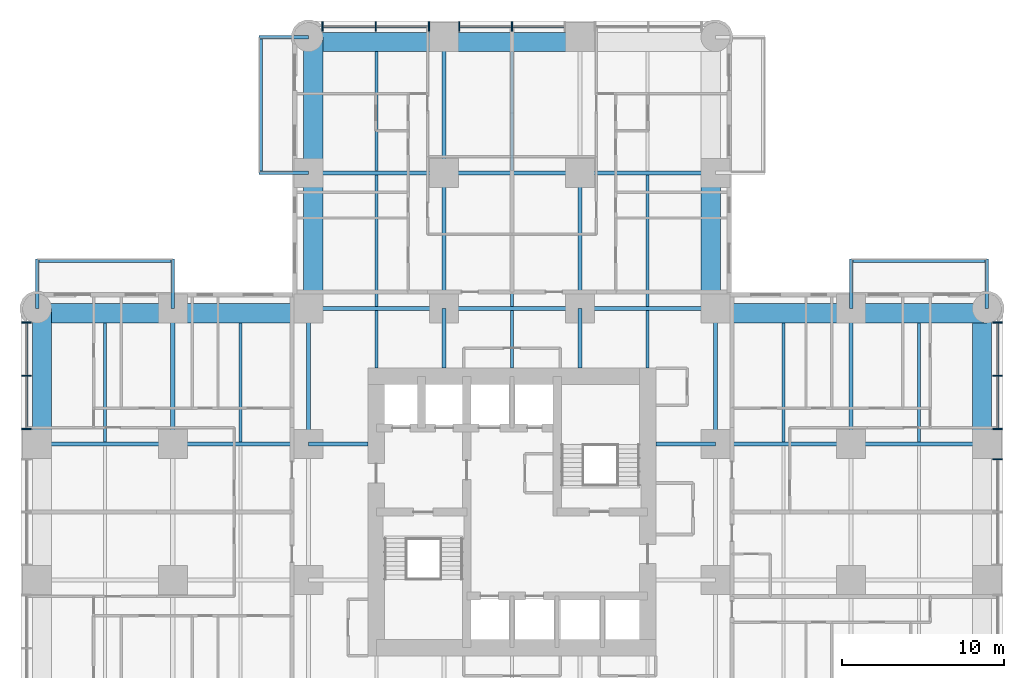
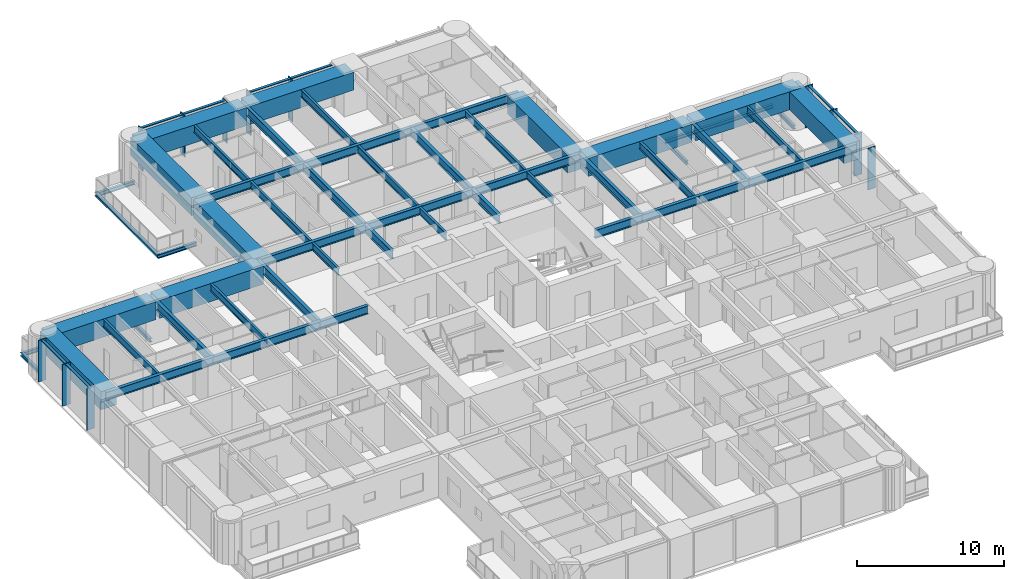
# One storey, part 4 of 17: 53 beams, 20 members, 3 elements without a shape of their own.
"""IFC4 building model written with IfcOpenShell, lengths in metres."""

from ifc_helpers import new_model, si_unit, direction, frame, origin, origin_2d, place, context, subcontext, project, spatial, rectangle, i_section, extrude, material, material_profile, profile_set, type_object, element, aggregate, save


model = new_model("IFC4")

# Units and contexts
model_context = context("Model", 3, precision=1e-05, world=origin(), true_north=direction((0.0, 1.0)))
body_context = subcontext(model_context, "Body", "Model", "MODEL_VIEW")
ifc_project = project(units=[si_unit("LENGTHUNIT", "METRE"), si_unit("AREAUNIT", "SQUARE_METRE"), si_unit("VOLUMEUNIT", "CUBIC_METRE"), si_unit("PLANEANGLEUNIT", "RADIAN"), si_unit("MASSUNIT", "GRAM", prefix="KILO")], contexts=[model_context])

# Site, building, storey
site_placement = place(None, origin())
site = spatial("IfcSite", under=ifc_project, at=site_placement, CompositionType="ELEMENT")
building_placement = place(site_placement, origin())
building = spatial("IfcBuilding", under=site, at=building_placement, Name="Torre Alcanfor", CompositionType="ELEMENT")
storey_placement = place(building_placement, frame((0.0, 0.0, 59.699951171875)))
storey = spatial("IfcBuildingStorey", under=building, at=storey_placement, Name="L14", CompositionType="ELEMENT", Elevation=59.699951171875)

# Beams
ifc_material_1 = material(Name="Steel ASTM A992 Grade 50", Category="steel")
ifc_material_profile_1 = material_profile(ifc_material_1, i_section(OverallWidth=0.205322265625, OverallDepth=0.309814453125, WebThickness=0.00927734375, FlangeThickness=0.016357421875, at=origin_2d()), Name="W12x50")
ifc_profile_set_1 = profile_set([ifc_material_profile_1], Name="Steel ASTM A992 Grade 50")
beam_type_1 = type_object("IfcBeamType", Name="Balcony cantilever beam W12x50", PredefinedType="BEAM", material=ifc_profile_set_1)
for number, where, z_axis, x_axis, name in (
    (1, (16.800048828125, 50.39990234375, -0.35498046875), (-1.0, 0.0, 0.0), (0.0, -1.0, 0.0), "Balcony cantilever beam L14-N1 1"),
    (2, (16.800048828125, 58.800048828125, -0.35498046875), (-1.0, 0.0, 0.0), (0.0, -1.0, 0.0), "Balcony cantilever beam L14-N1 2"),
    (3, (50.39990234375, 42.0, -0.35498046875), (0.0, 1.0, 0.0), (-1.0, 0.0, 0.0), "Balcony cantilever beam L14-E1 1"),
    (4, (58.800048828125, 42.0, -0.35498046875), (0.0, 1.0, 0.0), (-1.0, 0.0, 0.0), "Balcony cantilever beam L14-E1 2"),
    (5, (8.39990234375, 42.0, -0.35498046875), (0.0, 1.0, 0.0), (-1.0, 0.0, 0.0), "Balcony cantilever beam L14-W2 1"),
    (6, (0.0, 42.0, -0.35498046875), (0.0, 1.0, 0.0), (-1.0, 0.0, 0.0), "Balcony cantilever beam L14-W2 2"),
):
    element("IfcBeam", number, at=place(storey_placement, frame(where, z_axis=z_axis, x_axis=x_axis)), inside=storey, type_object=beam_type_1, Name=name, PredefinedType="BEAM", context=body_context, shape_type="SweptSolid", body=[
        extrude(i_section(OverallWidth=0.205322265625, OverallDepth=0.309814453125, WebThickness=0.00927734375, FlangeThickness=0.016357421875, at=origin_2d()), origin(), (0.0, 0.0, 1.0), 3.050048828125),
    ])
ifc_material_2 = material(Name="Steel ASTM A992 Grade 50", Category="steel")
ifc_material_profile_2 = material_profile(ifc_material_2, i_section(OverallWidth=0.203369140625, OverallDepth=0.30224609375, WebThickness=0.007568359375, FlangeThickness=0.01318359375, at=origin_2d()), Name="W12x40")
ifc_profile_set_2 = profile_set([ifc_material_profile_2], Name="Steel ASTM A992 Grade 50")
beam_type_2 = type_object("IfcBeamType", Name="Balcony edge trimmer W12x40", PredefinedType="BEAM", material=ifc_profile_set_2)
for number, where, z_axis, x_axis, name in (
    (7, (13.851806640625, 50.39990234375, -0.35107421875), (0.0, 1.0, 0.0), (-1.0, 0.0, 0.0), "Balcony edge trimmer L14-N1"),
    (8, (50.39990234375, 44.9482421875, -0.35107421875), (1.0, 0.0, 0.0), (0.0, 1.0, 0.0), "Balcony edge trimmer L14-E1"),
):
    element("IfcBeam", number, at=place(storey_placement, frame(where, z_axis=z_axis, x_axis=x_axis)), inside=storey, type_object=beam_type_2, Name=name, PredefinedType="BEAM", context=body_context, shape_type="SweptSolid", body=[
        extrude(i_section(OverallWidth=0.203369140625, OverallDepth=0.30224609375, WebThickness=0.007568359375, FlangeThickness=0.01318359375, at=origin_2d()), origin(), (0.0, 0.0, 1.0), 8.400146484375),
    ])
beam_1_placement = place(storey_placement, frame((8.39990234375, 44.9482421875, -0.35107421875), z_axis=(-1.0, 0.0, 0.0), x_axis=(0.0, -1.0, 0.0)))
element("IfcBeam", 9, at=beam_1_placement, inside=storey, type_object=beam_type_2, Name="Balcony edge trimmer L14-W2", PredefinedType="BEAM", context=body_context, shape_type="SweptSolid", body=[
    extrude(i_section(OverallWidth=0.203369140625, OverallDepth=0.30224609375, WebThickness=0.007568359375, FlangeThickness=0.01318359375, at=origin_2d()), origin(), (0.0, 0.0, 1.0), 8.39990234375),
])

# Curtain wall, members
ifc_material_3 = material(Name="Aluminium and glass", Category="aluminium")
curtain_wall_type = type_object("IfcCurtainWallType", Name="CW-A unitised apartment glazing with vertical FIN", PredefinedType="NOTDEFINED", material=ifc_material_3)
curtain_wall_1_placement = place(storey_placement, origin())
curtain_wall_1 = element("IfcCurtainWall", 10, at=curtain_wall_1_placement, inside=storey, type_object=curtain_wall_type, Name="Curtain wall CW-A L14 2", PredefinedType="NOTDEFINED")
ifc_material_4 = material(Name="Bronze anodised aluminium", Category="aluminium")
ifc_material_profile_3 = material_profile(ifc_material_4, rectangle(XDim=0.60009765625, YDim=0.06494140625, at=origin_2d()), Name="CW-A mullion 65x600")
ifc_profile_set_3 = profile_set([ifc_material_profile_3], Name="Bronze anodised aluminium")
member_type_1 = type_object("IfcMemberType", Name="CW-A mullion with vertical FIN 65x600", PredefinedType="MULLION", material=ifc_profile_set_3)
member_1_placement = place(storey_placement, frame((-0.64990234375, 41.133056640625, 0.0), z_axis=(0.0, 0.0, 1.0), x_axis=(1.0, 0.0, 0.0)))
member_1 = element("IfcMember", 11, at=member_1_placement, type_object=member_type_1, Name="CW-A mullion 1.1", PredefinedType="MULLION", context=body_context, shape_type="SweptSolid", body=[
    extrude(rectangle(XDim=0.60009765625, YDim=0.06494140625, at=origin_2d()), origin(), (0.0, 0.0, 1.0), 3.449951171875),
])
member_2_placement = place(storey_placement, frame((-0.64990234375, 37.835205078125, 0.0), z_axis=(0.0, 0.0, 1.0), x_axis=(1.0, 0.0, 0.0)))
member_2 = element("IfcMember", 12, at=member_2_placement, type_object=member_type_1, Name="CW-A mullion 1.2", PredefinedType="MULLION", context=body_context, shape_type="SweptSolid", body=[
    extrude(rectangle(XDim=0.60009765625, YDim=0.06494140625, at=origin_2d()), origin(), (0.0, 0.0, 1.0), 3.449951171875),
])
member_3_placement = place(storey_placement, frame((-0.64990234375, 34.53759765625, 0.0), z_axis=(0.0, 0.0, 1.0), x_axis=(1.0, 0.0, 0.0)))
member_3 = element("IfcMember", 13, at=member_3_placement, type_object=member_type_1, Name="CW-A mullion 1.3", PredefinedType="MULLION", context=body_context, shape_type="SweptSolid", body=[
    extrude(rectangle(XDim=0.60009765625, YDim=0.06494140625, at=origin_2d()), origin(), (0.0, 0.0, 1.0), 3.449951171875),
])

curtain_wall_2_placement = place(storey_placement, origin())
curtain_wall_2 = element("IfcCurtainWall", 14, at=curtain_wall_2_placement, inside=storey, type_object=curtain_wall_type, Name="Curtain wall CW-A L14 8", PredefinedType="NOTDEFINED")
member_4_placement = place(storey_placement, frame((59.449951171875, 32.66259765625, 0.0), z_axis=(0.0, 0.0, 1.0), x_axis=(-1.0, 0.0, 0.0)))
member_4 = element("IfcMember", 15, at=member_4_placement, type_object=member_type_1, Name="CW-A mullion 2.3", PredefinedType="MULLION", context=body_context, shape_type="SweptSolid", body=[
    extrude(rectangle(XDim=0.60009765625, YDim=0.06494140625, at=origin_2d()), origin(), (0.0, 0.0, 1.0), 3.449951171875),
])
member_5_placement = place(storey_placement, frame((59.449951171875, 34.53759765625, 0.0), z_axis=(0.0, 0.0, 1.0), x_axis=(-1.0, 0.0, 0.0)))
member_5 = element("IfcMember", 16, at=member_5_placement, type_object=member_type_1, Name="CW-A mullion 3.1", PredefinedType="MULLION", context=body_context, shape_type="SweptSolid", body=[
    extrude(rectangle(XDim=0.60009765625, YDim=0.06494140625, at=origin_2d()), origin(), (0.0, 0.0, 1.0), 3.449951171875),
])
member_6_placement = place(storey_placement, frame((59.449951171875, 37.835205078125, 0.0), z_axis=(0.0, 0.0, 1.0), x_axis=(-1.0, 0.0, 0.0)))
member_6 = element("IfcMember", 17, at=member_6_placement, type_object=member_type_1, Name="CW-A mullion 3.2", PredefinedType="MULLION", context=body_context, shape_type="SweptSolid", body=[
    extrude(rectangle(XDim=0.60009765625, YDim=0.06494140625, at=origin_2d()), origin(), (0.0, 0.0, 1.0), 3.449951171875),
])
member_7_placement = place(storey_placement, frame((59.449951171875, 41.133056640625, 0.0), z_axis=(0.0, 0.0, 1.0), x_axis=(-1.0, 0.0, 0.0)))
member_7 = element("IfcMember", 18, at=member_7_placement, type_object=member_type_1, Name="CW-A mullion 3.3", PredefinedType="MULLION", context=body_context, shape_type="SweptSolid", body=[
    extrude(rectangle(XDim=0.60009765625, YDim=0.06494140625, at=origin_2d()), origin(), (0.0, 0.0, 1.0), 3.449951171875),
])

curtain_wall_3_placement = place(storey_placement, origin())
curtain_wall_3 = element("IfcCurtainWall", 19, at=curtain_wall_3_placement, inside=storey, type_object=curtain_wall_type, Name="Curtain wall CW-A L14 11", PredefinedType="NOTDEFINED")
member_8_placement = place(storey_placement, frame((29.39990234375, 59.449951171875, 0.0), z_axis=(0.0, 0.0, 1.0), x_axis=(0.0, -1.0, 0.0)))
member_8 = element("IfcMember", 20, at=member_8_placement, type_object=member_type_1, Name="CW-A mullion 2.2", PredefinedType="MULLION", context=body_context, shape_type="SweptSolid", body=[
    extrude(rectangle(XDim=0.60009765625, YDim=0.06494140625, at=origin_2d()), origin(), (0.0, 0.0, 1.0), 3.449951171875),
])
member_9_placement = place(storey_placement, frame((26.137451171875, 59.449951171875, 0.0), z_axis=(0.0, 0.0, 1.0), x_axis=(0.0, -1.0, 0.0)))
member_9 = element("IfcMember", 21, at=member_9_placement, type_object=member_type_1, Name="CW-A mullion 2.3", PredefinedType="MULLION", context=body_context, shape_type="SweptSolid", body=[
    extrude(rectangle(XDim=0.60009765625, YDim=0.06494140625, at=origin_2d()), origin(), (0.0, 0.0, 1.0), 3.449951171875),
])
member_10_placement = place(storey_placement, frame((24.262451171875, 59.449951171875, 0.0), z_axis=(0.0, 0.0, 1.0), x_axis=(0.0, -1.0, 0.0)))
member_10 = element("IfcMember", 22, at=member_10_placement, type_object=member_type_1, Name="CW-A mullion 3.1", PredefinedType="MULLION", context=body_context, shape_type="SweptSolid", body=[
    extrude(rectangle(XDim=0.60009765625, YDim=0.06494140625, at=origin_2d()), origin(), (0.0, 0.0, 1.0), 3.449951171875),
])
member_11_placement = place(storey_placement, frame((20.96484375, 59.449951171875, 0.0), z_axis=(0.0, 0.0, 1.0), x_axis=(0.0, -1.0, 0.0)))
member_11 = element("IfcMember", 23, at=member_11_placement, type_object=member_type_1, Name="CW-A mullion 3.2", PredefinedType="MULLION", context=body_context, shape_type="SweptSolid", body=[
    extrude(rectangle(XDim=0.60009765625, YDim=0.06494140625, at=origin_2d()), origin(), (0.0, 0.0, 1.0), 3.449951171875),
])
member_12_placement = place(storey_placement, frame((17.6669921875, 59.449951171875, 0.0), z_axis=(0.0, 0.0, 1.0), x_axis=(0.0, -1.0, 0.0)))
member_12 = element("IfcMember", 24, at=member_12_placement, type_object=member_type_1, Name="CW-A mullion 3.3", PredefinedType="MULLION", context=body_context, shape_type="SweptSolid", body=[
    extrude(rectangle(XDim=0.60009765625, YDim=0.06494140625, at=origin_2d()), origin(), (0.0, 0.0, 1.0), 3.449951171875),
])

# Member
ifc_material_5 = material(Name="Extruded aluminium", Category="aluminium")
ifc_material_profile_4 = material_profile(ifc_material_5, rectangle(XDim=0.199951171875, YDim=0.06494140625, at=origin_2d()), Name="CW-A transom 200x65")
ifc_profile_set_4 = profile_set([ifc_material_profile_4], Name="Extruded aluminium")
member_type_2 = type_object("IfcMemberType", Name="CW-A transom 65x200", PredefinedType="USERDEFINED", material=ifc_profile_set_4)
member_13_placement = place(storey_placement, frame((-0.64990234375, 41.1005859375, 3.41748046875), z_axis=(0.0, -1.0, 0.0), x_axis=(1.0, 0.0, 0.0)))
member_13 = element("IfcMember", 25, at=member_13_placement, type_object=member_type_2, Name="CW-A transom 1.1.2", ObjectType="TRANSOM", PredefinedType="USERDEFINED", context=body_context, shape_type="SweptSolid", body=[
    extrude(rectangle(XDim=0.199951171875, YDim=0.06494140625, at=origin_2d()), origin(), (0.0, 0.0, 1.0), 3.23291015625),
])

member_14_placement = place(storey_placement, frame((-0.64990234375, 37.802734375, 3.41748046875), z_axis=(0.0, -1.0, 0.0), x_axis=(1.0, 0.0, 0.0)))
member_14 = element("IfcMember", 26, at=member_14_placement, type_object=member_type_2, Name="CW-A transom 1.2.2", ObjectType="TRANSOM", PredefinedType="USERDEFINED", context=body_context, shape_type="SweptSolid", body=[
    extrude(rectangle(XDim=0.199951171875, YDim=0.06494140625, at=origin_2d()), origin(), (0.0, 0.0, 1.0), 3.232666015625),
])

aggregate(curtain_wall_1, [member_1, member_2, member_3, member_13, member_14])

member_15_placement = place(storey_placement, frame((59.449951171875, 34.570068359375, 3.41748046875), z_axis=(0.0, 1.0, 0.0), x_axis=(-1.0, 0.0, 0.0)))
member_15 = element("IfcMember", 27, at=member_15_placement, type_object=member_type_2, Name="CW-A transom 3.1.2", ObjectType="TRANSOM", PredefinedType="USERDEFINED", context=body_context, shape_type="SweptSolid", body=[
    extrude(rectangle(XDim=0.199951171875, YDim=0.06494140625, at=origin_2d()), origin(), (0.0, 0.0, 1.0), 3.232666015625),
])

member_16_placement = place(storey_placement, frame((59.449951171875, 37.86767578125, 3.41748046875), z_axis=(0.0, 1.0, 0.0), x_axis=(-1.0, 0.0, 0.0)))
member_16 = element("IfcMember", 28, at=member_16_placement, type_object=member_type_2, Name="CW-A transom 3.2.2", ObjectType="TRANSOM", PredefinedType="USERDEFINED", context=body_context, shape_type="SweptSolid", body=[
    extrude(rectangle(XDim=0.199951171875, YDim=0.06494140625, at=origin_2d()), origin(), (0.0, 0.0, 1.0), 3.23291015625),
])

aggregate(curtain_wall_2, [member_4, member_5, member_6, member_7, member_15, member_16])

member_17_placement = place(storey_placement, frame((32.6298828125, 59.449951171875, 3.41748046875), z_axis=(-1.0, 0.0, 0.0), x_axis=(0.0, -1.0, 0.0)))
member_17 = element("IfcMember", 29, at=member_17_placement, type_object=member_type_2, Name="CW-A transom 2.1.2", ObjectType="TRANSOM", PredefinedType="USERDEFINED", context=body_context, shape_type="SweptSolid", body=[
    extrude(rectangle(XDim=0.199951171875, YDim=0.06494140625, at=origin_2d()), origin(), (0.0, 0.0, 1.0), 3.197265625),
])

member_18_placement = place(storey_placement, frame((29.367431640625, 59.449951171875, 3.41748046875), z_axis=(-1.0, 0.0, 0.0), x_axis=(0.0, -1.0, 0.0)))
member_18 = element("IfcMember", 30, at=member_18_placement, type_object=member_type_2, Name="CW-A transom 2.2.2", ObjectType="TRANSOM", PredefinedType="USERDEFINED", context=body_context, shape_type="SweptSolid", body=[
    extrude(rectangle(XDim=0.199951171875, YDim=0.06494140625, at=origin_2d()), origin(), (0.0, 0.0, 1.0), 3.197509765625),
])

member_19_placement = place(storey_placement, frame((24.22998046875, 59.449951171875, 3.41748046875), z_axis=(-1.0, 0.0, 0.0), x_axis=(0.0, -1.0, 0.0)))
member_19 = element("IfcMember", 31, at=member_19_placement, type_object=member_type_2, Name="CW-A transom 3.1.2", ObjectType="TRANSOM", PredefinedType="USERDEFINED", context=body_context, shape_type="SweptSolid", body=[
    extrude(rectangle(XDim=0.199951171875, YDim=0.06494140625, at=origin_2d()), origin(), (0.0, 0.0, 1.0), 3.232666015625),
])

member_20_placement = place(storey_placement, frame((20.93212890625, 59.449951171875, 3.41748046875), z_axis=(-1.0, 0.0, 0.0), x_axis=(0.0, -1.0, 0.0)))
member_20 = element("IfcMember", 32, at=member_20_placement, type_object=member_type_2, Name="CW-A transom 3.2.2", ObjectType="TRANSOM", PredefinedType="USERDEFINED", context=body_context, shape_type="SweptSolid", body=[
    extrude(rectangle(XDim=0.199951171875, YDim=0.06494140625, at=origin_2d()), origin(), (0.0, 0.0, 1.0), 3.232666015625),
])

aggregate(curtain_wall_3, [member_8, member_9, member_17, member_18, member_10, member_11, member_12, member_19, member_20])

# Beams
ifc_material_6 = material(Name="Steel ASTM A992 Grade 50", Category="steel")
ifc_material_profile_5 = material_profile(ifc_material_6, i_section(OverallWidth=0.25390625, OverallDepth=0.683349609375, WebThickness=0.012451171875, FlangeThickness=0.01904296875, at=origin_2d()), Name="W27x94")
ifc_profile_set_5 = profile_set([ifc_material_profile_5], Name="Steel ASTM A992 Grade 50")
beam_type_3 = type_object("IfcBeamType", Name="Girder W27x94", PredefinedType="BEAM", material=ifc_profile_set_5)
beam_2_placement = place(storey_placement, frame((0.0, 33.60009765625, 3.1083984375), z_axis=(1.0, 0.0, 0.0), x_axis=(0.0, 1.0, 0.0)))
element("IfcBeam", 33, at=beam_2_placement, inside=storey, type_object=beam_type_3, Name="Beam 1G-2G under L15", PredefinedType="BEAM", context=body_context, shape_type="SweptSolid", body=[
    extrude(i_section(OverallWidth=0.25390625, OverallDepth=0.683349609375, WebThickness=0.012451171875, FlangeThickness=0.01904296875, at=origin_2d()), origin(), (0.0, 0.0, 1.0), 8.39990234375),
])
beam_3_placement = place(storey_placement, frame((8.39990234375, 33.60009765625, 3.1083984375), z_axis=(1.0, 0.0, 0.0), x_axis=(0.0, 1.0, 0.0)))
element("IfcBeam", 34, at=beam_3_placement, inside=storey, type_object=beam_type_3, Name="Beam 2G-3G under L15", PredefinedType="BEAM", context=body_context, shape_type="SweptSolid", body=[
    extrude(i_section(OverallWidth=0.25390625, OverallDepth=0.683349609375, WebThickness=0.012451171875, FlangeThickness=0.01904296875, at=origin_2d()), origin(), (0.0, 0.0, 1.0), 8.400146484375),
])
beam_4_placement = place(storey_placement, frame((42.0, 33.60009765625, 3.1083984375), z_axis=(1.0, 0.0, 0.0), x_axis=(0.0, 1.0, 0.0)))
element("IfcBeam", 35, at=beam_4_placement, inside=storey, type_object=beam_type_3, Name="Beam 6G-7G under L15", PredefinedType="BEAM", context=body_context, shape_type="SweptSolid", body=[
    extrude(i_section(OverallWidth=0.25390625, OverallDepth=0.683349609375, WebThickness=0.012451171875, FlangeThickness=0.01904296875, at=origin_2d()), origin(), (0.0, 0.0, 1.0), 8.39990234375),
])
beam_5_placement = place(storey_placement, frame((50.39990234375, 33.60009765625, 3.1083984375), z_axis=(1.0, 0.0, 0.0), x_axis=(0.0, 1.0, 0.0)))
element("IfcBeam", 36, at=beam_5_placement, inside=storey, type_object=beam_type_3, Name="Beam 7G-8G under L15", PredefinedType="BEAM", context=body_context, shape_type="SweptSolid", body=[
    extrude(i_section(OverallWidth=0.25390625, OverallDepth=0.683349609375, WebThickness=0.012451171875, FlangeThickness=0.01904296875, at=origin_2d()), origin(), (0.0, 0.0, 1.0), 8.400146484375),
])
beam_6_placement = place(storey_placement, frame((16.800048828125, 42.0, 3.1083984375), z_axis=(1.0, 0.0, 0.0), x_axis=(0.0, 1.0, 0.0)))
element("IfcBeam", 37, at=beam_6_placement, inside=storey, type_object=beam_type_3, Name="Beam 3H-4H under L15", PredefinedType="BEAM", context=body_context, shape_type="SweptSolid", body=[
    extrude(i_section(OverallWidth=0.25390625, OverallDepth=0.683349609375, WebThickness=0.012451171875, FlangeThickness=0.01904296875, at=origin_2d()), origin(), (0.0, 0.0, 1.0), 8.39990234375),
])
beam_7_placement = place(storey_placement, frame((25.199951171875, 42.0, 3.1083984375), z_axis=(1.0, 0.0, 0.0), x_axis=(0.0, 1.0, 0.0)))
element("IfcBeam", 38, at=beam_7_placement, inside=storey, type_object=beam_type_3, Name="Beam 4H-5H under L15", PredefinedType="BEAM", context=body_context, shape_type="SweptSolid", body=[
    extrude(i_section(OverallWidth=0.25390625, OverallDepth=0.683349609375, WebThickness=0.012451171875, FlangeThickness=0.01904296875, at=origin_2d()), origin(), (0.0, 0.0, 1.0), 8.400146484375),
])
for number, where, z_axis, x_axis, name in (
    (39, (33.60009765625, 42.0, 3.1083984375), (1.0, 0.0, 0.0), (0.0, 1.0, 0.0), "Beam 5H-6H under L15"),
    (40, (16.800048828125, 50.39990234375, 3.1083984375), (1.0, 0.0, 0.0), (0.0, 1.0, 0.0), "Beam 3J-4J under L15"),
):
    element("IfcBeam", number, at=place(storey_placement, frame(where, z_axis=z_axis, x_axis=x_axis)), inside=storey, type_object=beam_type_3, Name=name, PredefinedType="BEAM", context=body_context, shape_type="SweptSolid", body=[
        extrude(i_section(OverallWidth=0.25390625, OverallDepth=0.683349609375, WebThickness=0.012451171875, FlangeThickness=0.01904296875, at=origin_2d()), origin(), (0.0, 0.0, 1.0), 8.39990234375),
    ])
beam_8_placement = place(storey_placement, frame((25.199951171875, 50.39990234375, 3.1083984375), z_axis=(1.0, 0.0, 0.0), x_axis=(0.0, 1.0, 0.0)))
element("IfcBeam", 41, at=beam_8_placement, inside=storey, type_object=beam_type_3, Name="Beam 4J-5J under L15", PredefinedType="BEAM", context=body_context, shape_type="SweptSolid", body=[
    extrude(i_section(OverallWidth=0.25390625, OverallDepth=0.683349609375, WebThickness=0.012451171875, FlangeThickness=0.01904296875, at=origin_2d()), origin(), (0.0, 0.0, 1.0), 8.400146484375),
])
for number, where, z_axis, x_axis, name in (
    (42, (33.60009765625, 50.39990234375, 3.1083984375), (1.0, 0.0, 0.0), (0.0, 1.0, 0.0), "Beam 5J-6J under L15"),
    (43, (8.39990234375, 33.60009765625, 3.1083984375), (0.0, 1.0, 0.0), (-1.0, 0.0, 0.0), "Beam 2G-2H under L15"),
    (44, (16.800048828125, 33.60009765625, 3.1083984375), (0.0, 1.0, 0.0), (-1.0, 0.0, 0.0), "Beam 3G-3H under L15"),
    (45, (25.199951171875, 42.0, 3.1083984375), (0.0, 1.0, 0.0), (-1.0, 0.0, 0.0), "Beam 4H-4J under L15"),
):
    element("IfcBeam", number, at=place(storey_placement, frame(where, z_axis=z_axis, x_axis=x_axis)), inside=storey, type_object=beam_type_3, Name=name, PredefinedType="BEAM", context=body_context, shape_type="SweptSolid", body=[
        extrude(i_section(OverallWidth=0.25390625, OverallDepth=0.683349609375, WebThickness=0.012451171875, FlangeThickness=0.01904296875, at=origin_2d()), origin(), (0.0, 0.0, 1.0), 8.39990234375),
    ])
beam_9_placement = place(storey_placement, frame((25.199951171875, 50.39990234375, 3.1083984375), z_axis=(0.0, 1.0, 0.0), x_axis=(-1.0, 0.0, 0.0)))
element("IfcBeam", 46, at=beam_9_placement, inside=storey, type_object=beam_type_3, Name="Beam 4J-4K under L15", PredefinedType="BEAM", context=body_context, shape_type="SweptSolid", body=[
    extrude(i_section(OverallWidth=0.25390625, OverallDepth=0.683349609375, WebThickness=0.012451171875, FlangeThickness=0.01904296875, at=origin_2d()), origin(), (0.0, 0.0, 1.0), 8.400146484375),
])
for number, where, z_axis, x_axis, name in (
    (47, (33.60009765625, 42.0, 3.1083984375), (0.0, 1.0, 0.0), (-1.0, 0.0, 0.0), "Beam 5H-5J under L15"),
    (48, (42.0, 33.60009765625, 3.1083984375), (0.0, 1.0, 0.0), (-1.0, 0.0, 0.0), "Beam 6G-6H under L15"),
    (49, (50.39990234375, 33.60009765625, 3.1083984375), (0.0, 1.0, 0.0), (-1.0, 0.0, 0.0), "Beam 7G-7H under L15"),
):
    element("IfcBeam", number, at=place(storey_placement, frame(where, z_axis=z_axis, x_axis=x_axis)), inside=storey, type_object=beam_type_3, Name=name, PredefinedType="BEAM", context=body_context, shape_type="SweptSolid", body=[
        extrude(i_section(OverallWidth=0.25390625, OverallDepth=0.683349609375, WebThickness=0.012451171875, FlangeThickness=0.01904296875, at=origin_2d()), origin(), (0.0, 0.0, 1.0), 8.39990234375),
    ])
ifc_material_7 = material(Name="Steel ASTM A992 Grade 50", Category="steel")
ifc_material_profile_6 = material_profile(ifc_material_7, i_section(OverallWidth=0.25390625, OverallDepth=0.683349609375, WebThickness=0.012451171875, FlangeThickness=0.01904296875, at=origin_2d()), Name="W27x94")
ifc_profile_set_6 = profile_set([ifc_material_profile_6], Name="Steel ASTM A992 Grade 50")
beam_type_4 = type_object("IfcBeamType", Name="Girder, part bay W27x94", PredefinedType="BEAM", material=ifc_profile_set_6)
for number, where, z_axis, x_axis, name in (
    (50, (25.199951171875, 42.0, 3.1083984375), (0.0, -1.0, 0.0), (1.0, 0.0, 0.0), "Beam 4H-438_3 under L15"),
    (51, (33.60009765625, 42.0, 3.1083984375), (0.0, -1.0, 0.0), (1.0, 0.0, 0.0), "Beam 5H-538_3 under L15"),
    (52, (16.800048828125, 33.60009765625, 3.1083984375), (1.0, 0.0, 0.0), (0.0, 1.0, 0.0), "Beam 3G-20_5G under L15"),
    (53, (42.0, 33.60009765625, 3.1083984375), (-1.0, 0.0, 0.0), (0.0, -1.0, 0.0), "Beam 6G-38_3G under L15"),
):
    element("IfcBeam", number, at=place(storey_placement, frame(where, z_axis=z_axis, x_axis=x_axis)), inside=storey, type_object=beam_type_4, Name=name, PredefinedType="BEAM", context=body_context, shape_type="SweptSolid", body=[
        extrude(i_section(OverallWidth=0.25390625, OverallDepth=0.683349609375, WebThickness=0.012451171875, FlangeThickness=0.01904296875, at=origin_2d()), origin(), (0.0, 0.0, 1.0), 3.699951171875),
    ])
ifc_material_8 = material(Name="Concrete f'c 70 MPa", Category="concrete")
ifc_material_profile_7 = material_profile(ifc_material_8, rectangle(XDim=1.199951171875, YDim=1.5, at=origin_2d()), Name="1200x1500")
ifc_profile_set_7 = profile_set([ifc_material_profile_7], Name="Concrete f'c 70 MPa")
beam_type_5 = type_object("IfcBeamType", Name="RC perimeter beam 1200x1500", PredefinedType="BEAM", material=ifc_profile_set_7)
beam_10_placement = place(storey_placement, frame((0.0, 41.699951171875, 2.699951171875), z_axis=(1.0, 0.0, 0.0), x_axis=(0.0, 1.0, 0.0)))
element("IfcBeam", 54, at=beam_10_placement, inside=storey, type_object=beam_type_5, Name="Beam 1H-2H under L15", PredefinedType="BEAM", context=body_context, shape_type="SweptSolid", body=[
    extrude(rectangle(XDim=1.199951171875, YDim=1.5, at=origin_2d()), origin(), (0.0, 0.0, 1.0), 8.27294921875),
])
for number, where, z_axis, x_axis, name in (
    (55, (8.527099609375, 41.699951171875, 2.699951171875), (1.0, 0.0, 0.0), (0.0, 1.0, 0.0), "Beam 2H-3H under L15"),
    (56, (42.126953125, 41.699951171875, 2.699951171875), (1.0, 0.0, 0.0), (0.0, 1.0, 0.0), "Beam 6H-7H under L15"),
):
    element("IfcBeam", number, at=place(storey_placement, frame(where, z_axis=z_axis, x_axis=x_axis)), inside=storey, type_object=beam_type_5, Name=name, PredefinedType="BEAM", context=body_context, shape_type="SweptSolid", body=[
        extrude(rectangle(XDim=1.199951171875, YDim=1.5, at=origin_2d()), origin(), (0.0, 0.0, 1.0), 8.14599609375),
    ])
for number, where, z_axis, x_axis, name in (
    (57, (50.527099609375, 41.699951171875, 2.699951171875), (1.0, 0.0, 0.0), (0.0, 1.0, 0.0), "Beam 7H-8H under L15"),
    (58, (16.800048828125, 58.5, 2.699951171875), (1.0, 0.0, 0.0), (0.0, 1.0, 0.0), "Beam 3K-4K under L15"),
):
    element("IfcBeam", number, at=place(storey_placement, frame(where, z_axis=z_axis, x_axis=x_axis)), inside=storey, type_object=beam_type_5, Name=name, PredefinedType="BEAM", context=body_context, shape_type="SweptSolid", body=[
        extrude(rectangle(XDim=1.199951171875, YDim=1.5, at=origin_2d()), origin(), (0.0, 0.0, 1.0), 8.27294921875),
    ])
beam_11_placement = place(storey_placement, frame((25.326904296875, 58.5, 2.699951171875), z_axis=(1.0, 0.0, 0.0), x_axis=(0.0, 1.0, 0.0)))
element("IfcBeam", 59, at=beam_11_placement, inside=storey, type_object=beam_type_5, Name="Beam 4K-5K under L15", PredefinedType="BEAM", context=body_context, shape_type="SweptSolid", body=[
    extrude(rectangle(XDim=1.199951171875, YDim=1.5, at=origin_2d()), origin(), (0.0, 0.0, 1.0), 8.14599609375),
])
beam_12_placement = place(storey_placement, frame((0.300048828125, 33.72705078125, 2.699951171875), z_axis=(0.0, 1.0, 0.0), x_axis=(-1.0, 0.0, 0.0)))
element("IfcBeam", 60, at=beam_12_placement, inside=storey, type_object=beam_type_5, Name="Beam 1G-1H under L15", PredefinedType="BEAM", context=body_context, shape_type="SweptSolid", body=[
    extrude(rectangle(XDim=1.199951171875, YDim=1.5, at=origin_2d()), origin(), (0.0, 0.0, 1.0), 8.27294921875),
])
beam_13_placement = place(storey_placement, frame((17.10009765625, 42.126953125, 2.699951171875), z_axis=(0.0, 1.0, 0.0), x_axis=(-1.0, 0.0, 0.0)))
element("IfcBeam", 61, at=beam_13_placement, inside=storey, type_object=beam_type_5, Name="Beam 3H-3J under L15", PredefinedType="BEAM", context=body_context, shape_type="SweptSolid", body=[
    extrude(rectangle(XDim=1.199951171875, YDim=1.5, at=origin_2d()), origin(), (0.0, 0.0, 1.0), 8.14599609375),
])
beam_14_placement = place(storey_placement, frame((17.10009765625, 50.527099609375, 2.699951171875), z_axis=(0.0, 1.0, 0.0), x_axis=(-1.0, 0.0, 0.0)))
element("IfcBeam", 62, at=beam_14_placement, inside=storey, type_object=beam_type_5, Name="Beam 3J-3K under L15", PredefinedType="BEAM", context=body_context, shape_type="SweptSolid", body=[
    extrude(rectangle(XDim=1.199951171875, YDim=1.5, at=origin_2d()), origin(), (0.0, 0.0, 1.0), 8.27294921875),
])
beam_15_placement = place(storey_placement, frame((41.699951171875, 42.126953125, 2.699951171875), z_axis=(0.0, 1.0, 0.0), x_axis=(-1.0, 0.0, 0.0)))
element("IfcBeam", 63, at=beam_15_placement, inside=storey, type_object=beam_type_5, Name="Beam 6H-6J under L15", PredefinedType="BEAM", context=body_context, shape_type="SweptSolid", body=[
    extrude(rectangle(XDim=1.199951171875, YDim=1.5, at=origin_2d()), origin(), (0.0, 0.0, 1.0), 8.14599609375),
])
beam_16_placement = place(storey_placement, frame((58.5, 33.72705078125, 2.699951171875), z_axis=(0.0, 1.0, 0.0), x_axis=(-1.0, 0.0, 0.0)))
element("IfcBeam", 64, at=beam_16_placement, inside=storey, type_object=beam_type_5, Name="Beam 8G-8H under L15", PredefinedType="BEAM", context=body_context, shape_type="SweptSolid", body=[
    extrude(rectangle(XDim=1.199951171875, YDim=1.5, at=origin_2d()), origin(), (0.0, 0.0, 1.0), 8.27294921875),
])
ifc_material_9 = material(Name="Steel ASTM A992 Grade 50", Category="steel")
ifc_material_profile_8 = material_profile(ifc_material_9, i_section(OverallWidth=0.1787109375, OverallDepth=0.60205078125, WebThickness=0.010986328125, FlangeThickness=0.014892578125, at=origin_2d()), Name="W24x62")
ifc_profile_set_8 = profile_set([ifc_material_profile_8], Name="Steel ASTM A992 Grade 50")
beam_type_6 = type_object("IfcBeamType", Name="Secondary beam W24x62", PredefinedType="BEAM", material=ifc_profile_set_8)
for number, where, z_axis, x_axis, name in (
    (65, (4.199951171875, 33.72705078125, 3.149169921875), (0.0, 1.0, 0.0), (-1.0, 0.0, 0.0), "Beam 4_2G-4_2H under L15"),
    (66, (12.60009765625, 33.72705078125, 3.149169921875), (0.0, 1.0, 0.0), (-1.0, 0.0, 0.0), "Beam 12_6G-12_6H under L15"),
):
    element("IfcBeam", number, at=place(storey_placement, frame(where, z_axis=z_axis, x_axis=x_axis)), inside=storey, type_object=beam_type_6, Name=name, PredefinedType="BEAM", context=body_context, shape_type="SweptSolid", body=[
        extrude(i_section(OverallWidth=0.1787109375, OverallDepth=0.60205078125, WebThickness=0.010986328125, FlangeThickness=0.014892578125, at=origin_2d()), origin(), (0.0, 0.0, 1.0), 7.373046875),
    ])
beam_17_placement = place(storey_placement, frame((21.0, 42.126953125, 3.149169921875), z_axis=(0.0, 1.0, 0.0), x_axis=(-1.0, 0.0, 0.0)))
element("IfcBeam", 67, at=beam_17_placement, inside=storey, type_object=beam_type_6, Name="Beam 21H-21J under L15", PredefinedType="BEAM", context=body_context, shape_type="SweptSolid", body=[
    extrude(i_section(OverallWidth=0.1787109375, OverallDepth=0.60205078125, WebThickness=0.010986328125, FlangeThickness=0.014892578125, at=origin_2d()), origin(), (0.0, 0.0, 1.0), 8.14599609375),
])
beam_18_placement = place(storey_placement, frame((21.0, 50.527099609375, 3.149169921875), z_axis=(0.0, 1.0, 0.0), x_axis=(-1.0, 0.0, 0.0)))
element("IfcBeam", 68, at=beam_18_placement, inside=storey, type_object=beam_type_6, Name="Beam 21J-21K under L15", PredefinedType="BEAM", context=body_context, shape_type="SweptSolid", body=[
    extrude(i_section(OverallWidth=0.1787109375, OverallDepth=0.60205078125, WebThickness=0.010986328125, FlangeThickness=0.014892578125, at=origin_2d()), origin(), (0.0, 0.0, 1.0), 7.372802734375),
])
beam_19_placement = place(storey_placement, frame((29.39990234375, 42.126953125, 3.149169921875), z_axis=(0.0, 1.0, 0.0), x_axis=(-1.0, 0.0, 0.0)))
element("IfcBeam", 69, at=beam_19_placement, inside=storey, type_object=beam_type_6, Name="Beam 29_4H-29_4J under L15", PredefinedType="BEAM", context=body_context, shape_type="SweptSolid", body=[
    extrude(i_section(OverallWidth=0.1787109375, OverallDepth=0.60205078125, WebThickness=0.010986328125, FlangeThickness=0.014892578125, at=origin_2d()), origin(), (0.0, 0.0, 1.0), 8.14599609375),
])
beam_20_placement = place(storey_placement, frame((29.39990234375, 50.527099609375, 3.149169921875), z_axis=(0.0, 1.0, 0.0), x_axis=(-1.0, 0.0, 0.0)))
element("IfcBeam", 70, at=beam_20_placement, inside=storey, type_object=beam_type_6, Name="Beam 29_4J-29_4K under L15", PredefinedType="BEAM", context=body_context, shape_type="SweptSolid", body=[
    extrude(i_section(OverallWidth=0.1787109375, OverallDepth=0.60205078125, WebThickness=0.010986328125, FlangeThickness=0.014892578125, at=origin_2d()), origin(), (0.0, 0.0, 1.0), 7.372802734375),
])
beam_21_placement = place(storey_placement, frame((37.800048828125, 42.126953125, 3.149169921875), z_axis=(0.0, 1.0, 0.0), x_axis=(-1.0, 0.0, 0.0)))
element("IfcBeam", 71, at=beam_21_placement, inside=storey, type_object=beam_type_6, Name="Beam 37_8H-37_8J under L15", PredefinedType="BEAM", context=body_context, shape_type="SweptSolid", body=[
    extrude(i_section(OverallWidth=0.1787109375, OverallDepth=0.60205078125, WebThickness=0.010986328125, FlangeThickness=0.014892578125, at=origin_2d()), origin(), (0.0, 0.0, 1.0), 8.14599609375),
])
for number, where, z_axis, x_axis, name in (
    (72, (46.199951171875, 33.72705078125, 3.149169921875), (0.0, 1.0, 0.0), (-1.0, 0.0, 0.0), "Beam 46_2G-46_2H under L15"),
    (73, (54.60009765625, 33.72705078125, 3.149169921875), (0.0, 1.0, 0.0), (-1.0, 0.0, 0.0), "Beam 54_6G-54_6H under L15"),
):
    element("IfcBeam", number, at=place(storey_placement, frame(where, z_axis=z_axis, x_axis=x_axis)), inside=storey, type_object=beam_type_6, Name=name, PredefinedType="BEAM", context=body_context, shape_type="SweptSolid", body=[
        extrude(i_section(OverallWidth=0.1787109375, OverallDepth=0.60205078125, WebThickness=0.010986328125, FlangeThickness=0.014892578125, at=origin_2d()), origin(), (0.0, 0.0, 1.0), 7.373046875),
    ])
ifc_material_10 = material(Name="Steel ASTM A992 Grade 50", Category="steel")
ifc_material_profile_9 = material_profile(ifc_material_10, i_section(OverallWidth=0.1787109375, OverallDepth=0.60205078125, WebThickness=0.010986328125, FlangeThickness=0.014892578125, at=origin_2d()), Name="W24x62")
ifc_profile_set_9 = profile_set([ifc_material_profile_9], Name="Steel ASTM A992 Grade 50")
beam_type_7 = type_object("IfcBeamType", Name="Secondary beam, part bay W24x62", PredefinedType="BEAM", material=ifc_profile_set_9)
for number, where, z_axis, x_axis, name in (
    (74, (21.0, 38.300048828125, 3.149169921875), (0.0, 1.0, 0.0), (-1.0, 0.0, 0.0), "Beam 2138_3-21H under L15"),
    (75, (29.39990234375, 38.300048828125, 3.149169921875), (0.0, 1.0, 0.0), (-1.0, 0.0, 0.0), "Beam 29_438_3-29_4H under L15"),
    (76, (37.800048828125, 38.300048828125, 3.149169921875), (0.0, 1.0, 0.0), (-1.0, 0.0, 0.0), "Beam 37_838_3-37_8H under L15"),
):
    element("IfcBeam", number, at=place(storey_placement, frame(where, z_axis=z_axis, x_axis=x_axis)), inside=storey, type_object=beam_type_7, Name=name, PredefinedType="BEAM", context=body_context, shape_type="SweptSolid", body=[
        extrude(i_section(OverallWidth=0.1787109375, OverallDepth=0.60205078125, WebThickness=0.010986328125, FlangeThickness=0.014892578125, at=origin_2d()), origin(), (0.0, 0.0, 1.0), 3.572998046875),
    ])

save(model, "model.ifc")
